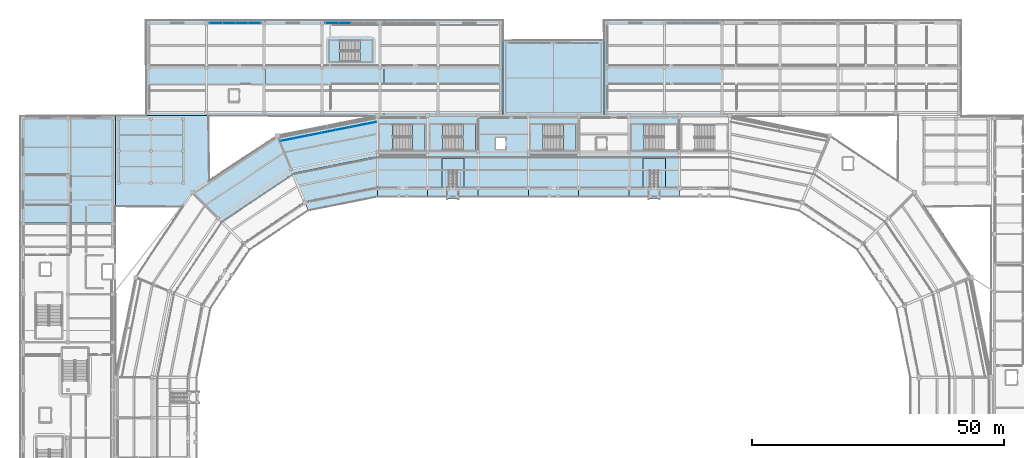
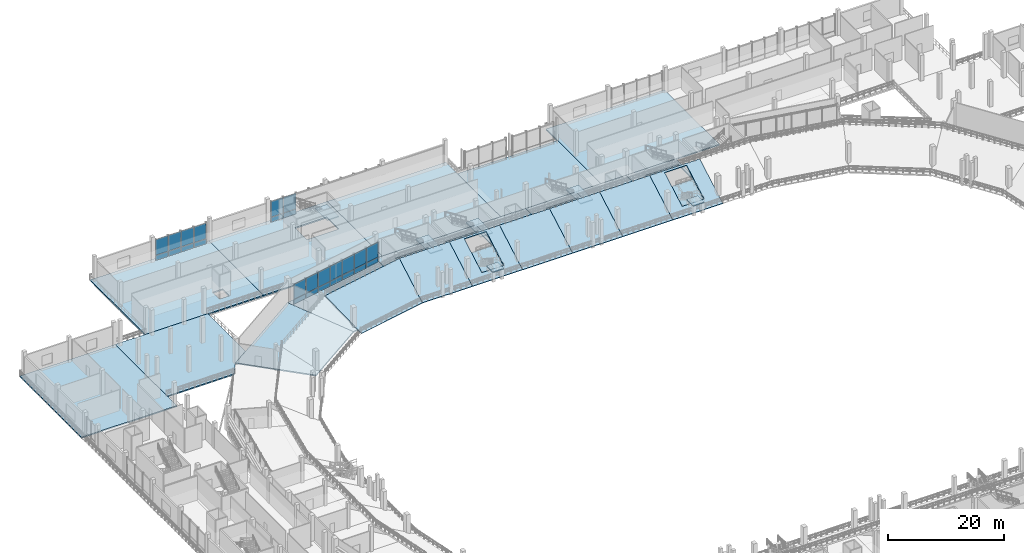
# One storey, part 69 of 127: 28 slabs, 26 plates, 9 elements without a shape of their own.
"""IFC4 building model written with IfcOpenShell, lengths in metres."""

from ifc_helpers import new_model, si_unit, direction, frame, origin, origin_2d, place, context, subcontext, project, spatial, polyline, rectangle, outline, extrude, material, layer, layer_set, type_object, element, aggregate, save


model = new_model("IFC4")

# Units and contexts
model_context = context("Model", 3, precision=1e-05, world=origin(), true_north=direction((0.0, 1.0)))
body_context = subcontext(model_context, "Body", "Model", "MODEL_VIEW")
ifc_project = project(units=[si_unit("LENGTHUNIT", "METRE"), si_unit("AREAUNIT", "SQUARE_METRE"), si_unit("VOLUMEUNIT", "CUBIC_METRE"), si_unit("PLANEANGLEUNIT", "RADIAN"), si_unit("MASSUNIT", "GRAM", prefix="KILO")], contexts=[model_context])

# Site, building, storey
site_placement = place(None, origin())
site = spatial("IfcSite", under=ifc_project, at=site_placement, CompositionType="ELEMENT")
building_placement = place(site_placement, origin())
building = spatial("IfcBuilding", under=site, at=building_placement, Name="Candeia Ridge Stadium", CompositionType="ELEMENT")
storey_placement = place(building_placement, frame((0.0, 0.0, 10.800048828125)))
storey = spatial("IfcBuildingStorey", under=building, at=storey_placement, Name="L02", CompositionType="ELEMENT", Elevation=10.800048828125)

# Slabs
ifc_material_1 = material(Name="Precast concrete C45/55", Category="concrete")
ifc_layer_1 = layer(ifc_material_1, 0.22509765625, Name="Precast concrete C45/55", Category="concrete")
ifc_layer_set_1 = layer_set([ifc_layer_1], Name="Precast concrete C45/55")
slab_type_1 = type_object("IfcSlabType", Name="Club Seating Tier Precast 225", PredefinedType="USERDEFINED", material=ifc_layer_set_1)
slab_1_placement = place(storey_placement, frame((131.0, 130.800048828125, 0.39990234375), z_axis=(0.0, -0.494386728352, 0.869242062276), x_axis=(-1.0, 0.0, 0.0)))
element("IfcSlab", 1, at=slab_1_placement, inside=storey, type_object=slab_type_1, Name="Stand Club Tier Stands Bay 02", ObjectType="SEATING TIER", PredefinedType="USERDEFINED", context=body_context, shape_type="SweptSolid", body=[
    extrude(outline(polyline([(0.0, 0.0), (10.0, 0.0), (10.0, -9.203420252184602), (0.0, -9.203420252184602), (0.0, 0.0)]), holes=[polyline([(2.800048828125, -1.8406291399876151), (7.199951171875, -1.8406291399876151), (7.199951171875, -8.835281957197845), (2.800048828125, -8.835281957197845), (2.800048828125, -1.8406291399876151)])]), origin(), (0.0, 0.0, -1.0), 0.22509765625),
])
for number, where, z_axis, x_axis, name in (
    (2, (121.0, 130.800048828125, 0.39990234375), (0.0, -0.494386728352, 0.869242062276), (-1.0, 0.0, 0.0), "Stand Club Tier Stands Bay 03"),
    (3, (111.0, 130.800048828125, 0.39990234375), (0.0, -0.494386728352, 0.869242062276), (-1.0, 0.0, 0.0), "Stand Club Tier Stands Bay 04"),
    (4, (101.0, 130.800048828125, 0.39990234375), (0.0, -0.494386728352, 0.869242062276), (-1.0, 0.0, 0.0), "Stand Club Tier Stands Bay 05"),
):
    element("IfcSlab", number, at=place(storey_placement, frame(where, z_axis=z_axis, x_axis=x_axis)), inside=storey, type_object=slab_type_1, Name=name, ObjectType="SEATING TIER", PredefinedType="USERDEFINED", context=body_context, shape_type="SweptSolid", body=[
        extrude(outline(polyline([(0.0, 0.0), (10.0, 0.0), (10.0, -9.203420252184602), (0.0, -9.203420252184602), (0.0, 0.0)])), origin(), (0.0, 0.0, -1.0), 0.22509765625),
    ])
slab_2_placement = place(storey_placement, frame((91.0, 130.800048828125, 0.39990234375), z_axis=(0.0, -0.494386728352, 0.869242062276), x_axis=(-1.0, 0.0, 0.0)))
element("IfcSlab", 5, at=slab_2_placement, inside=storey, type_object=slab_type_1, Name="Stand Club Tier Stands Bay 06", ObjectType="SEATING TIER", PredefinedType="USERDEFINED", context=body_context, shape_type="SweptSolid", body=[
    extrude(outline(polyline([(0.0, 0.0), (10.0, 0.0), (10.0, -9.203420252184602), (0.0, -9.203420252184602), (0.0, 0.0)]), holes=[polyline([(2.800048828125, -1.8406291399876151), (7.199951171875, -1.8406291399876151), (7.199951171875, -8.835281957197845), (2.800048828125, -8.835281957197845), (2.800048828125, -1.8406291399876151)])]), origin(), (0.0, 0.0, -1.0), 0.22509765625),
])
slab_3_placement = place(storey_placement, frame((81.0, 130.800048828125, 0.39990234375), z_axis=(0.0, -0.494386728352, 0.869242062276), x_axis=(-1.0, 0.0, 0.0)))
element("IfcSlab", 6, at=slab_3_placement, inside=storey, type_object=slab_type_1, Name="Stand Club Tier Stands Bay 07", ObjectType="SEATING TIER", PredefinedType="USERDEFINED", context=body_context, shape_type="SweptSolid", body=[
    extrude(outline(polyline([(0.0, 0.0), (10.0, 0.0), (10.0, -9.203420252184602), (0.0, -9.203420252184602), (0.0, 0.0)])), origin(), (0.0, 0.0, -1.0), 0.22509765625),
])
slab_4_placement = place(storey_placement, frame((71.0, 130.800048828125, 0.39990234375), z_axis=(0.097864069881, -0.492009659407, 0.86507174204), x_axis=(-0.980785461692, -0.195089410595, -2.563371e-06)))
element("IfcSlab", 7, at=slab_4_placement, inside=storey, type_object=slab_type_1, Name="Stand Club Tier Stands Bay 08", ObjectType="SEATING TIER", PredefinedType="USERDEFINED", context=body_context, shape_type="SweptSolid", body=[
    extrude(outline(polyline([(0.0, 0.0), (13.96835063084204, 0.0), (15.529587610985773, -9.070278646793197), (-1.5607269482180093, -9.070119940205563), (0.0, 0.0)])), origin(), (0.0, 0.0, -1.0), 0.22509765625),
])
ifc_material_2 = material(Name="Concrete C40/50", Category="concrete")
ifc_layer_2 = layer(ifc_material_2, 0.260009765625, Name="Concrete C40/50", Category="concrete")
ifc_layer_set_2 = layer_set([ifc_layer_2], Name="Concrete C40/50")
slab_type_2 = type_object("IfcSlabType", Name="Concourse Structural Slab 260", PredefinedType="FLOOR", material=ifc_layer_set_2)
slab_5_placement = place(storey_placement, frame((0.0, 0.0, -0.260009765625)))
element("IfcSlab", 8, at=slab_5_placement, inside=storey, type_object=slab_type_2, Name="Wing floor slab nw_n SLB-L02-0265", PredefinedType="FLOOR", context=body_context, shape_type="SweptSolid", body=[
    extrude(outline(polyline([(25.0, 147.0), (25.0, 166.0), (48.666748046875, 166.0), (48.666748046875, 147.0), (25.0, 147.0)]), holes=[polyline([(41.550048828125, 149.85009765625), (43.449951171875, 149.85009765625), (43.449951171875, 152.14990234375), (41.550048828125, 152.14990234375), (41.550048828125, 149.85009765625)])]), origin(), (0.0, 0.0, 1.0), 0.260009765625),
])
slab_6_placement = place(storey_placement, frame((0.0, 0.0, -0.260009765625)))
element("IfcSlab", 9, at=slab_6_placement, inside=storey, type_object=slab_type_2, Name="Wing floor slab nw_n SLB-L02-0266", PredefinedType="FLOOR", context=body_context, shape_type="SweptSolid", body=[
    extrude(outline(polyline([(48.666748046875, 147.0), (48.666748046875, 166.0), (72.333251953125, 166.0), (72.333251953125, 147.0), (48.666748046875, 147.0)]), holes=[polyline([(63.50048828125, 161.949951171875), (63.50048828125, 157.800048828125), (69.89990234375, 157.800048828125), (69.89990234375, 161.949951171875), (63.50048828125, 161.949951171875)])]), origin(), (0.0, 0.0, 1.0), 0.260009765625),
])
slab_7_placement = place(storey_placement, frame((0.0, 0.0, -0.260009765625)))
element("IfcSlab", 10, at=slab_7_placement, inside=storey, type_object=slab_type_2, Name="Wing floor slab nw_n SLB-L02-0267", PredefinedType="FLOOR", context=body_context, shape_type="SweptSolid", body=[
    extrude(outline(polyline([(72.333251953125, 147.0), (72.333251953125, 166.0), (96.0, 166.0), (96.0, 147.0), (72.333251953125, 147.0)])), origin(), (0.0, 0.0, 1.0), 0.260009765625),
])
slab_8_placement = place(storey_placement, frame((0.0, 0.0, -0.260009765625)))
element("IfcSlab", 11, at=slab_8_placement, inside=storey, type_object=slab_type_2, Name="Wing floor slab ne_n SLB-L02-0268", PredefinedType="FLOOR", context=body_context, shape_type="SweptSolid", body=[
    extrude(outline(polyline([(116.0, 147.0), (116.0, 166.0), (139.666748046875, 166.0), (139.666748046875, 147.0), (116.0, 147.0)])), origin(), (0.0, 0.0, 1.0), 0.260009765625),
])

# Stair, slab
stair_type_1 = type_object("IfcStairType", Name="Enclosed Core Half-Turn Stair 2450", PredefinedType="HALF_TURN_STAIR", material=ifc_material_2)
stair_1_placement = place(storey_placement, origin())
stair_1 = element("IfcStair", 12, at=stair_1_placement, inside=storey, type_object=stair_type_1, Name="L02 Enclosed exit stair ST01", PredefinedType="HALF_TURN_STAIR")
ifc_layer_3 = layer(ifc_material_2, 0.199951171875, Name="Concrete C40/50", Category="concrete")
ifc_layer_set_3 = layer_set([ifc_layer_3], Name="Concrete C40/50")
slab_type_3 = type_object("IfcSlabType", Name="Core Stair Landing Slab 200", PredefinedType="LANDING", material=ifc_layer_set_3)
slab_9_placement = place(storey_placement, frame((0.0, 0.0, 2.5)))
slab_9 = element("IfcSlab", 13, at=slab_9_placement, type_object=slab_type_3, Name="ST01 landing 1", PredefinedType="LANDING", context=body_context, shape_type="SweptSolid", body=[
    extrude(outline(polyline([(78.010009765625, 140.199951171875), (80.5, 140.199951171875), (80.5, 145.25), (78.010009765625, 145.25), (78.010009765625, 140.199951171875)])), origin(), (0.0, 0.0, 1.0), 0.199951171875),
])
aggregate(stair_1, [slab_9])

stair_2_placement = place(storey_placement, origin())
stair_2 = element("IfcStair", 14, at=stair_2_placement, inside=storey, type_object=stair_type_1, Name="L02 Enclosed exit stair ST09", PredefinedType="HALF_TURN_STAIR")
slab_10_placement = place(storey_placement, frame((0.0, 0.0, 2.5)))
slab_10 = element("IfcSlab", 15, at=slab_10_placement, type_object=slab_type_3, Name="ST09 landing 1", PredefinedType="LANDING", context=body_context, shape_type="SweptSolid", body=[
    extrude(outline(polyline([(88.010009765625, 140.199951171875), (90.5, 140.199951171875), (90.5, 145.25), (88.010009765625, 145.25), (88.010009765625, 140.199951171875)])), origin(), (0.0, 0.0, 1.0), 0.199951171875),
])
aggregate(stair_2, [slab_10])

stair_type_2 = type_object("IfcStairType", Name="Enclosed Wing Half-Turn Stair 2000", PredefinedType="HALF_TURN_STAIR", material=ifc_material_2)
stair_3_placement = place(storey_placement, origin())
stair_3 = element("IfcStair", 16, at=stair_3_placement, inside=storey, type_object=stair_type_2, Name="L02 Enclosed exit stair ST15", PredefinedType="HALF_TURN_STAIR")
slab_11_placement = place(storey_placement, frame((0.0, 0.0, 2.5)))
slab_11 = element("IfcSlab", 17, at=slab_11_placement, type_object=slab_type_3, Name="ST15 landing 1", PredefinedType="LANDING", context=body_context, shape_type="SweptSolid", body=[
    extrude(outline(polyline([(67.56005859375, 157.800048828125), (69.89990234375, 157.800048828125), (69.89990234375, 161.949951171875), (67.56005859375, 161.949951171875), (67.56005859375, 157.800048828125)])), origin(), (0.0, 0.0, 1.0), 0.199951171875),
])
aggregate(stair_3, [slab_11])

stair_4_placement = place(storey_placement, origin())
stair_4 = element("IfcStair", 18, at=stair_4_placement, inside=storey, type_object=stair_type_1, Name="L02 Enclosed exit stair ST17", PredefinedType="HALF_TURN_STAIR")
slab_12_placement = place(storey_placement, frame((0.0, 0.0, 2.5)))
slab_12 = element("IfcSlab", 19, at=slab_12_placement, type_object=slab_type_3, Name="ST17 landing 1", PredefinedType="LANDING", context=body_context, shape_type="SweptSolid", body=[
    extrude(outline(polyline([(108.010009765625, 140.199951171875), (110.5, 140.199951171875), (110.5, 145.25), (108.010009765625, 145.25), (108.010009765625, 140.199951171875)])), origin(), (0.0, 0.0, 1.0), 0.199951171875),
])
aggregate(stair_4, [slab_12])

stair_type_3 = type_object("IfcStairType", Name="Spectator Vomitory Straight Stair 2200", PredefinedType="STRAIGHT_RUN_STAIR", material=ifc_material_1)
stair_5_placement = place(storey_placement, origin())
stair_5 = element("IfcStair", 20, at=stair_5_placement, inside=storey, type_object=stair_type_3, Name="Vomitory stair VS19", PredefinedType="STRAIGHT_RUN_STAIR")
slab_13_placement = place(storey_placement, frame((0.0, 0.0, 2.0400390625)))
slab_13 = element("IfcSlab", 21, at=slab_13_placement, type_object=slab_type_3, Name="VS19 landing 1", PredefinedType="LANDING", context=body_context, shape_type="SweptSolid", body=[
    extrude(outline(polyline([(127.1201171875, 132.720458984375), (127.1201171875, 130.469970703125), (124.8798828125, 130.469970703125), (124.8798828125, 132.720458984375), (127.1201171875, 132.720458984375)])), origin(), (0.0, 0.0, 1.0), 0.199951171875),
])
aggregate(stair_5, [slab_13])

stair_6_placement = place(storey_placement, origin())
stair_6 = element("IfcStair", 22, at=stair_6_placement, inside=storey, type_object=stair_type_3, Name="Vomitory stair VS20", PredefinedType="STRAIGHT_RUN_STAIR")
slab_14_placement = place(storey_placement, frame((0.0, 0.0, 2.0400390625)))
slab_14 = element("IfcSlab", 23, at=slab_14_placement, type_object=slab_type_3, Name="VS20 landing 1", PredefinedType="LANDING", context=body_context, shape_type="SweptSolid", body=[
    extrude(outline(polyline([(87.1201171875, 132.720458984375), (87.1201171875, 130.469970703125), (84.8798828125, 130.469970703125), (84.8798828125, 132.720458984375), (87.1201171875, 132.720458984375)])), origin(), (0.0, 0.0, 1.0), 0.199951171875),
])
aggregate(stair_6, [slab_14])

# Slabs
ifc_layer_4 = layer(ifc_material_2, 0.25, Name="Concrete C40/50", Category="concrete")
ifc_layer_set_4 = layer_set([ifc_layer_4], Name="Concrete C40/50")
slab_type_4 = type_object("IfcSlabType", Name="Hospitality & Museum Slab 250", PredefinedType="FLOOR", material=ifc_layer_set_4)
slab_15_placement = place(storey_placement, frame((0.0, 0.0, -0.25)))
element("IfcSlab", 24, at=slab_15_placement, inside=storey, type_object=slab_type_4, Name="Bowl concourse sector slab L02 bay 02 SLB-L02-0074", PredefinedType="FLOOR", context=body_context, shape_type="SweptSolid", body=[
    extrude(outline(polyline([(121.0, 132.60009765625), (121.0, 147.0), (131.0, 147.0), (131.0, 132.60009765625), (121.0, 132.60009765625)]), holes=[polyline([(123.95068359375, 145.25), (123.95068359375, 140.199951171875), (130.5, 140.199951171875), (130.5, 145.25), (123.95068359375, 145.25)])]), origin(), (0.0, 0.0, 1.0), 0.25),
])
slab_16_placement = place(storey_placement, frame((0.0, 0.0, -0.25)))
element("IfcSlab", 25, at=slab_16_placement, inside=storey, type_object=slab_type_4, Name="Bowl concourse sector slab L02 bay 03 SLB-L02-0075", PredefinedType="FLOOR", context=body_context, shape_type="SweptSolid", body=[
    extrude(outline(polyline([(111.0, 132.60009765625), (111.0, 147.0), (121.0, 147.0), (121.0, 132.60009765625), (111.0, 132.60009765625)]), holes=[polyline([(116.449951171875, 140.35009765625), (116.449951171875, 142.64990234375), (114.550048828125, 142.64990234375), (114.550048828125, 140.35009765625), (116.449951171875, 140.35009765625)])]), origin(), (0.0, 0.0, 1.0), 0.25),
])
slab_17_placement = place(storey_placement, frame((0.0, 0.0, -0.25)))
element("IfcSlab", 26, at=slab_17_placement, inside=storey, type_object=slab_type_4, Name="Bowl concourse sector slab L02 bay 04 SLB-L02-0076", PredefinedType="FLOOR", context=body_context, shape_type="SweptSolid", body=[
    extrude(outline(polyline([(101.0, 132.60009765625), (101.0, 147.0), (111.0, 147.0), (111.0, 132.60009765625), (101.0, 132.60009765625)]), holes=[polyline([(103.95068359375, 145.25), (103.95068359375, 140.199951171875), (110.5, 140.199951171875), (110.5, 145.25), (103.95068359375, 145.25)])]), origin(), (0.0, 0.0, 1.0), 0.25),
])
slab_18_placement = place(storey_placement, frame((0.0, 0.0, -0.25)))
element("IfcSlab", 27, at=slab_18_placement, inside=storey, type_object=slab_type_4, Name="Bowl concourse sector slab L02 bay 05 SLB-L02-0077", PredefinedType="FLOOR", context=body_context, shape_type="SweptSolid", body=[
    extrude(outline(polyline([(91.0, 132.60009765625), (91.0, 147.0), (101.0, 147.0), (101.0, 132.60009765625), (91.0, 132.60009765625)]), holes=[polyline([(96.449951171875, 140.35009765625), (96.449951171875, 142.64990234375), (94.550048828125, 142.64990234375), (94.550048828125, 140.35009765625), (96.449951171875, 140.35009765625)])]), origin(), (0.0, 0.0, 1.0), 0.25),
])
slab_19_placement = place(storey_placement, frame((0.0, 0.0, -0.25)))
element("IfcSlab", 28, at=slab_19_placement, inside=storey, type_object=slab_type_4, Name="Bowl concourse sector slab L02 bay 06 SLB-L02-0078", PredefinedType="FLOOR", context=body_context, shape_type="SweptSolid", body=[
    extrude(outline(polyline([(81.0, 132.60009765625), (81.0, 147.0), (91.0, 147.0), (91.0, 132.60009765625), (81.0, 132.60009765625)]), holes=[polyline([(83.95068359375, 140.199951171875), (90.5, 140.199951171875), (90.5, 145.25), (83.95068359375, 145.25), (83.95068359375, 140.199951171875)])]), origin(), (0.0, 0.0, 1.0), 0.25),
])
slab_20_placement = place(storey_placement, frame((0.0, 0.0, -0.25)))
element("IfcSlab", 29, at=slab_20_placement, inside=storey, type_object=slab_type_4, Name="Bowl concourse sector slab L02 bay 07 SLB-L02-0079", PredefinedType="FLOOR", context=body_context, shape_type="SweptSolid", body=[
    extrude(outline(polyline([(71.0, 132.60009765625), (71.0, 147.0), (81.0, 147.0), (81.0, 132.60009765625), (71.0, 132.60009765625)]), holes=[polyline([(73.95068359375, 140.199951171875), (80.5, 140.199951171875), (80.5, 145.25), (73.95068359375, 145.25), (73.95068359375, 140.199951171875)])]), origin(), (0.0, 0.0, 1.0), 0.25),
])
slab_21_placement = place(storey_placement, frame((0.0, 0.0, -0.25)))
element("IfcSlab", 30, at=slab_21_placement, inside=storey, type_object=slab_type_4, Name="Bowl concourse sector slab L02 bay 08 SLB-L02-0080", PredefinedType="FLOOR", context=body_context, shape_type="SweptSolid", body=[
    extrude(outline(polyline([(56.611083984375, 129.73779296875), (51.1005859375, 143.041748046875), (71.0, 147.0), (71.0, 132.60009765625), (56.611083984375, 129.73779296875)])), origin(), (0.0, 0.0, 1.0), 0.25),
])
slab_22_placement = place(storey_placement, frame((0.0, 0.0, -0.25)))
element("IfcSlab", 31, at=slab_22_placement, inside=storey, type_object=slab_type_4, Name="Bowl concourse sector slab L02 bay 09 SLB-L02-0081", PredefinedType="FLOOR", context=body_context, shape_type="SweptSolid", body=[
    extrude(outline(polyline([(44.446044921875, 121.609375), (34.263671875, 131.791748046875), (51.1005859375, 143.041748046875), (56.611083984375, 129.73779296875), (44.446044921875, 121.609375)])), origin(), (0.0, 0.0, 1.0), 0.25),
])
slab_23_placement = place(storey_placement, frame((0.0, 0.0, -0.25)))
element("IfcSlab", 32, at=slab_23_placement, inside=storey, type_object=slab_type_4, Name="Wing floor slab west SLB-L02-0250", PredefinedType="FLOOR", context=body_context, shape_type="SweptSolid", body=[
    extrude(outline(polyline([(0.0, 125.666748046875), (0.0, 147.0), (19.0, 147.0), (19.0, 125.666748046875), (0.0, 125.666748046875)])), origin(), (0.0, 0.0, 1.0), 0.25),
])
slab_24_placement = place(storey_placement, frame((0.0, 0.0, -0.25)))
element("IfcSlab", 33, at=slab_24_placement, inside=storey, type_object=slab_type_4, Name="Wing floor slab ngate SLB-L02-0271", PredefinedType="FLOOR", context=body_context, shape_type="SweptSolid", body=[
    extrude(outline(polyline([(96.0, 147.0), (96.0, 162.0), (116.0, 162.0), (116.0, 147.0), (96.0, 147.0)])), origin(), (0.0, 0.0, 1.0), 0.25),
])
slab_25_placement = place(storey_placement, frame((0.0, 0.0, -0.25)))
element("IfcSlab", 34, at=slab_25_placement, inside=storey, type_object=slab_type_4, Name="Wing floor slab sp_nw SLB-L02-0272", PredefinedType="FLOOR", context=body_context, shape_type="SweptSolid", body=[
    extrude(outline(polyline([(19.0, 147.0), (37.5, 147.0), (37.5, 133.960205078125), (34.227783203125, 131.773681640625), (34.227294921875, 131.7734375), (34.226806640625, 131.773193359375), (34.2265625, 131.772705078125), (34.226318359375, 131.772216796875), (32.373779296875, 129.0), (19.0, 129.0), (19.0, 147.0)])), origin(), (0.0, 0.0, 1.0), 0.25),
])

# Curtain wall, plates
ifc_material_3 = material(Name="Aluminium Anodized Warm Bronze", Category="aluminium")
curtain_wall_type_1 = type_object("IfcCurtainWallType", Name="Concourse Recessed Unitised Curtain Wall", PredefinedType="NOTDEFINED", material=ifc_material_3)
curtain_wall_1_placement = place(storey_placement, origin())
curtain_wall_1 = element("IfcCurtainWall", 35, at=curtain_wall_1_placement, inside=storey, type_object=curtain_wall_type_1, Name="Unitised curtain wall CW-BWL-L02-07", PredefinedType="NOTDEFINED")
ifc_material_4 = material(Name="Aluminium Insulated Spandrel", Category="aluminium")
ifc_layer_5 = layer(ifc_material_4, 0.06494140625, Name="Aluminium Insulated Spandrel", Category="aluminium")
ifc_layer_set_5 = layer_set([ifc_layer_5], Name="Aluminium Insulated Spandrel")
plate_type_1 = type_object("IfcPlateType", Name="Insulated Bronze Spandrel Panel SP2", PredefinedType="CURTAIN_PANEL", material=ifc_layer_set_5)
plate_1_placement = place(storey_placement, frame((69.460205078125, 145.49365234375, 0.0400390625), z_axis=(0.0, 0.0, 1.0), x_axis=(-0.980785280696, -0.195090320544, 0.0)))
plate_1 = element("IfcPlate", 36, at=plate_1_placement, type_object=plate_type_1, Name="Curtain wall spandrel panel CW-BWL-L02-07-SP0", PredefinedType="CURTAIN_PANEL", context=body_context, shape_type="SweptSolid", body=[
    extrude(rectangle(XDim=2.710205078125, YDim=0.06494140625, at=origin_2d()), origin(), (0.0, 0.0, 1.0), 0.983642578125),
])
plate_2_placement = place(storey_placement, frame((66.7333984375, 144.951416015625, 0.0400390625), z_axis=(0.0, 0.0, 1.0), x_axis=(-0.980785280696, -0.195090320544, 0.0)))
plate_2 = element("IfcPlate", 37, at=plate_2_placement, type_object=plate_type_1, Name="Curtain wall spandrel panel CW-BWL-L02-07-SP1", PredefinedType="CURTAIN_PANEL", context=body_context, shape_type="SweptSolid", body=[
    extrude(rectangle(XDim=2.710205078125, YDim=0.06494140625, at=origin_2d()), origin(), (0.0, 0.0, 1.0), 0.983642578125),
])
plate_3_placement = place(storey_placement, frame((64.006591796875, 144.408935546875, 0.0400390625), z_axis=(0.0, 0.0, 1.0), x_axis=(-0.980785280696, -0.195090320544, 0.0)))
plate_3 = element("IfcPlate", 38, at=plate_3_placement, type_object=plate_type_1, Name="Curtain wall spandrel panel CW-BWL-L02-07-SP2", PredefinedType="CURTAIN_PANEL", context=body_context, shape_type="SweptSolid", body=[
    extrude(rectangle(XDim=2.710205078125, YDim=0.06494140625, at=origin_2d()), origin(), (0.0, 0.0, 1.0), 0.983642578125),
])
plate_4_placement = place(storey_placement, frame((61.27978515625, 143.86669921875, 0.0400390625), z_axis=(0.0, 0.0, 1.0), x_axis=(-0.980785280696, -0.195090320544, 0.0)))
plate_4 = element("IfcPlate", 39, at=plate_4_placement, type_object=plate_type_1, Name="Curtain wall spandrel panel CW-BWL-L02-07-SP3", PredefinedType="CURTAIN_PANEL", context=body_context, shape_type="SweptSolid", body=[
    extrude(rectangle(XDim=2.710205078125, YDim=0.06494140625, at=origin_2d()), origin(), (0.0, 0.0, 1.0), 0.983642578125),
])
plate_5_placement = place(storey_placement, frame((58.552978515625, 143.32421875, 0.0400390625), z_axis=(0.0, 0.0, 1.0), x_axis=(-0.980785280696, -0.195090320544, 0.0)))
plate_5 = element("IfcPlate", 40, at=plate_5_placement, type_object=plate_type_1, Name="Curtain wall spandrel panel CW-BWL-L02-07-SP4", PredefinedType="CURTAIN_PANEL", context=body_context, shape_type="SweptSolid", body=[
    extrude(rectangle(XDim=2.710205078125, YDim=0.06494140625, at=origin_2d()), origin(), (0.0, 0.0, 1.0), 0.983642578125),
])
plate_6_placement = place(storey_placement, frame((55.826416015625, 142.78173828125, 0.0400390625), z_axis=(0.0, 0.0, 1.0), x_axis=(-0.980785280696, -0.195090320544, 0.0)))
plate_6 = element("IfcPlate", 41, at=plate_6_placement, type_object=plate_type_1, Name="Curtain wall spandrel panel CW-BWL-L02-07-SP5", PredefinedType="CURTAIN_PANEL", context=body_context, shape_type="SweptSolid", body=[
    extrude(rectangle(XDim=2.710205078125, YDim=0.06494140625, at=origin_2d()), origin(), (0.0, 0.0, 1.0), 0.983642578125),
])
plate_7_placement = place(storey_placement, frame((53.099609375, 142.239501953125, 0.0400390625), z_axis=(0.0, 0.0, 1.0), x_axis=(-0.980785280696, -0.195090320544, 0.0)))
plate_7 = element("IfcPlate", 42, at=plate_7_placement, type_object=plate_type_1, Name="Curtain wall spandrel panel CW-BWL-L02-07-SP6", PredefinedType="CURTAIN_PANEL", context=body_context, shape_type="SweptSolid", body=[
    extrude(rectangle(XDim=2.710205078125, YDim=0.06494140625, at=origin_2d()), origin(), (0.0, 0.0, 1.0), 0.983642578125),
])

curtain_wall_type_2 = type_object("IfcCurtainWallType", Name="Museum & Boulevard Showcase Curtain Wall", PredefinedType="NOTDEFINED", material=ifc_material_3)
curtain_wall_2_placement = place(storey_placement, origin())
curtain_wall_2 = element("IfcCurtainWall", 43, at=curtain_wall_2_placement, inside=storey, type_object=curtain_wall_type_2, Name="Unitised curtain wall CW-WNG-L02-149", PredefinedType="NOTDEFINED")
ifc_layer_6 = layer(ifc_material_4, 0.06494140625, Name="Aluminium Insulated Spandrel", Category="aluminium")
ifc_layer_set_6 = layer_set([ifc_layer_6], Name="Aluminium Insulated Spandrel")
plate_type_2 = type_object("IfcPlateType", Name="Insulated Cedar-Tone Spandrel Panel SP3", PredefinedType="CURTAIN_PANEL", material=ifc_layer_set_6)
plate_8_placement = place(storey_placement, frame((38.9326171875, 165.39990234375, 0.0400390625), z_axis=(0.0, 0.0, 1.0), x_axis=(1.0, 0.0, 0.0)))
plate_8 = element("IfcPlate", 44, at=plate_8_placement, type_object=plate_type_2, Name="Curtain wall spandrel panel CW-WNG-L02-149-SP0", PredefinedType="CURTAIN_PANEL", context=body_context, shape_type="SweptSolid", body=[
    extrude(rectangle(XDim=2.47509765625, YDim=0.06494140625, at=origin_2d()), origin(), (0.0, 0.0, 1.0), 1.02001953125),
])
plate_9_placement = place(storey_placement, frame((41.4775390625, 165.39990234375, 0.0400390625), z_axis=(0.0, 0.0, 1.0), x_axis=(1.0, 0.0, 0.0)))
plate_9 = element("IfcPlate", 45, at=plate_9_placement, type_object=plate_type_2, Name="Curtain wall spandrel panel CW-WNG-L02-149-SP1", PredefinedType="CURTAIN_PANEL", context=body_context, shape_type="SweptSolid", body=[
    extrude(rectangle(XDim=2.47509765625, YDim=0.06494140625, at=origin_2d()), origin(), (0.0, 0.0, 1.0), 1.02001953125),
])
plate_10_placement = place(storey_placement, frame((44.0224609375, 165.39990234375, 0.0400390625), z_axis=(0.0, 0.0, 1.0), x_axis=(1.0, 0.0, 0.0)))
plate_10 = element("IfcPlate", 46, at=plate_10_placement, type_object=plate_type_2, Name="Curtain wall spandrel panel CW-WNG-L02-149-SP2", PredefinedType="CURTAIN_PANEL", context=body_context, shape_type="SweptSolid", body=[
    extrude(rectangle(XDim=2.47509765625, YDim=0.06494140625, at=origin_2d()), origin(), (0.0, 0.0, 1.0), 1.02001953125),
])
plate_11_placement = place(storey_placement, frame((46.5673828125, 165.39990234375, 0.0400390625), z_axis=(0.0, 0.0, 1.0), x_axis=(1.0, 0.0, 0.0)))
plate_11 = element("IfcPlate", 47, at=plate_11_placement, type_object=plate_type_2, Name="Curtain wall spandrel panel CW-WNG-L02-149-SP3", PredefinedType="CURTAIN_PANEL", context=body_context, shape_type="SweptSolid", body=[
    extrude(rectangle(XDim=2.47509765625, YDim=0.06494140625, at=origin_2d()), origin(), (0.0, 0.0, 1.0), 1.02001953125),
])

curtain_wall_3_placement = place(storey_placement, origin())
curtain_wall_3 = element("IfcCurtainWall", 48, at=curtain_wall_3_placement, inside=storey, type_object=curtain_wall_type_2, Name="Unitised curtain wall CW-WNG-L02-150", PredefinedType="NOTDEFINED")
plate_12_placement = place(storey_placement, frame((61.9326171875, 165.39990234375, 0.0400390625), z_axis=(0.0, 0.0, 1.0), x_axis=(1.0, 0.0, 0.0)))
plate_12 = element("IfcPlate", 49, at=plate_12_placement, type_object=plate_type_2, Name="Curtain wall spandrel panel CW-WNG-L02-150-SP0", PredefinedType="CURTAIN_PANEL", context=body_context, shape_type="SweptSolid", body=[
    extrude(rectangle(XDim=2.47509765625, YDim=0.06494140625, at=origin_2d()), origin(), (0.0, 0.0, 1.0), 1.02001953125),
])
plate_13_placement = place(storey_placement, frame((64.4775390625, 165.39990234375, 0.0400390625), z_axis=(0.0, 0.0, 1.0), x_axis=(1.0, 0.0, 0.0)))
plate_13 = element("IfcPlate", 50, at=plate_13_placement, type_object=plate_type_2, Name="Curtain wall spandrel panel CW-WNG-L02-150-SP1", PredefinedType="CURTAIN_PANEL", context=body_context, shape_type="SweptSolid", body=[
    extrude(rectangle(XDim=2.47509765625, YDim=0.06494140625, at=origin_2d()), origin(), (0.0, 0.0, 1.0), 1.02001953125),
])

# Plate
ifc_material_5 = material(Name="Tempered Low-E Double Glazing", Category="glass")
ifc_layer_7 = layer(ifc_material_5, 0.035888671875, Name="Tempered Low-E Double Glazing", Category="glass")
ifc_layer_set_7 = layer_set([ifc_layer_7], Name="Tempered Low-E Double Glazing")
plate_type_3 = type_object("IfcPlateType", Name="Pavilion Panorama Glass Panel GP4", PredefinedType="CURTAIN_PANEL", material=ifc_layer_set_7)
plate_14_placement = place(storey_placement, frame((38.9326171875, 165.39990234375, 1.139892578125), z_axis=(0.0, 0.0, 1.0), x_axis=(1.0, 0.0, 0.0)))
plate_14 = element("IfcPlate", 51, at=plate_14_placement, type_object=plate_type_3, Name="Curtain wall vision glass panel CW-WNG-L02-149-GP0", PredefinedType="CURTAIN_PANEL", context=body_context, shape_type="SweptSolid", body=[
    extrude(rectangle(XDim=2.47509765625, YDim=0.035888671875, at=origin_2d()), origin(), (0.0, 0.0, 1.0), 3.27490234375),
])

plate_15_placement = place(storey_placement, frame((41.4775390625, 165.39990234375, 1.139892578125), z_axis=(0.0, 0.0, 1.0), x_axis=(1.0, 0.0, 0.0)))
plate_15 = element("IfcPlate", 52, at=plate_15_placement, type_object=plate_type_3, Name="Curtain wall vision glass panel CW-WNG-L02-149-GP1", PredefinedType="CURTAIN_PANEL", context=body_context, shape_type="SweptSolid", body=[
    extrude(rectangle(XDim=2.47509765625, YDim=0.035888671875, at=origin_2d()), origin(), (0.0, 0.0, 1.0), 3.27490234375),
])

plate_16_placement = place(storey_placement, frame((44.0224609375, 165.39990234375, 1.139892578125), z_axis=(0.0, 0.0, 1.0), x_axis=(1.0, 0.0, 0.0)))
plate_16 = element("IfcPlate", 53, at=plate_16_placement, type_object=plate_type_3, Name="Curtain wall vision glass panel CW-WNG-L02-149-GP2", PredefinedType="CURTAIN_PANEL", context=body_context, shape_type="SweptSolid", body=[
    extrude(rectangle(XDim=2.47509765625, YDim=0.035888671875, at=origin_2d()), origin(), (0.0, 0.0, 1.0), 3.27490234375),
])

plate_17_placement = place(storey_placement, frame((46.5673828125, 165.39990234375, 1.139892578125), z_axis=(0.0, 0.0, 1.0), x_axis=(1.0, 0.0, 0.0)))
plate_17 = element("IfcPlate", 54, at=plate_17_placement, type_object=plate_type_3, Name="Curtain wall vision glass panel CW-WNG-L02-149-GP3", PredefinedType="CURTAIN_PANEL", context=body_context, shape_type="SweptSolid", body=[
    extrude(rectangle(XDim=2.47509765625, YDim=0.035888671875, at=origin_2d()), origin(), (0.0, 0.0, 1.0), 3.27490234375),
])

aggregate(curtain_wall_2, [plate_8, plate_14, plate_9, plate_15, plate_10, plate_16, plate_11, plate_17])

plate_18_placement = place(storey_placement, frame((61.9326171875, 165.39990234375, 1.139892578125), z_axis=(0.0, 0.0, 1.0), x_axis=(1.0, 0.0, 0.0)))
plate_18 = element("IfcPlate", 55, at=plate_18_placement, type_object=plate_type_3, Name="Curtain wall vision glass panel CW-WNG-L02-150-GP0", PredefinedType="CURTAIN_PANEL", context=body_context, shape_type="SweptSolid", body=[
    extrude(rectangle(XDim=2.47509765625, YDim=0.035888671875, at=origin_2d()), origin(), (0.0, 0.0, 1.0), 3.27490234375),
])

plate_19_placement = place(storey_placement, frame((64.4775390625, 165.39990234375, 1.139892578125), z_axis=(0.0, 0.0, 1.0), x_axis=(1.0, 0.0, 0.0)))
plate_19 = element("IfcPlate", 56, at=plate_19_placement, type_object=plate_type_3, Name="Curtain wall vision glass panel CW-WNG-L02-150-GP1", PredefinedType="CURTAIN_PANEL", context=body_context, shape_type="SweptSolid", body=[
    extrude(rectangle(XDim=2.47509765625, YDim=0.035888671875, at=origin_2d()), origin(), (0.0, 0.0, 1.0), 3.27490234375),
])

aggregate(curtain_wall_3, [plate_12, plate_18, plate_13, plate_19])

ifc_layer_8 = layer(ifc_material_5, 0.035888671875, Name="Tempered Low-E Double Glazing", Category="glass")
ifc_layer_set_8 = layer_set([ifc_layer_8], Name="Tempered Low-E Double Glazing")
plate_type_4 = type_object("IfcPlateType", Name="Solar Control Vision Glass Panel GP6", PredefinedType="CURTAIN_PANEL", material=ifc_layer_set_8)
plate_20_placement = place(storey_placement, frame((69.460205078125, 145.49365234375, 1.103759765625), z_axis=(0.0, 0.0, 1.0), x_axis=(-0.980785280696, -0.195090320544, 0.0)))
plate_20 = element("IfcPlate", 57, at=plate_20_placement, type_object=plate_type_4, Name="Curtain wall vision glass panel CW-BWL-L02-07-GP0", PredefinedType="CURTAIN_PANEL", context=body_context, shape_type="SweptSolid", body=[
    extrude(rectangle(XDim=2.710205078125, YDim=0.035888671875, at=origin_2d()), origin(), (0.0, 0.0, 1.0), 3.111328125),
])

plate_21_placement = place(storey_placement, frame((66.7333984375, 144.951416015625, 1.103759765625), z_axis=(0.0, 0.0, 1.0), x_axis=(-0.980785280696, -0.195090320544, 0.0)))
plate_21 = element("IfcPlate", 58, at=plate_21_placement, type_object=plate_type_4, Name="Curtain wall vision glass panel CW-BWL-L02-07-GP1", PredefinedType="CURTAIN_PANEL", context=body_context, shape_type="SweptSolid", body=[
    extrude(rectangle(XDim=2.710205078125, YDim=0.035888671875, at=origin_2d()), origin(), (0.0, 0.0, 1.0), 3.111328125),
])

plate_22_placement = place(storey_placement, frame((64.006591796875, 144.408935546875, 1.103759765625), z_axis=(0.0, 0.0, 1.0), x_axis=(-0.980785280696, -0.195090320544, 0.0)))
plate_22 = element("IfcPlate", 59, at=plate_22_placement, type_object=plate_type_4, Name="Curtain wall vision glass panel CW-BWL-L02-07-GP2", PredefinedType="CURTAIN_PANEL", context=body_context, shape_type="SweptSolid", body=[
    extrude(rectangle(XDim=2.710205078125, YDim=0.035888671875, at=origin_2d()), origin(), (0.0, 0.0, 1.0), 3.111328125),
])

plate_23_placement = place(storey_placement, frame((61.27978515625, 143.86669921875, 1.103759765625), z_axis=(0.0, 0.0, 1.0), x_axis=(-0.980785280696, -0.195090320544, 0.0)))
plate_23 = element("IfcPlate", 60, at=plate_23_placement, type_object=plate_type_4, Name="Curtain wall vision glass panel CW-BWL-L02-07-GP3", PredefinedType="CURTAIN_PANEL", context=body_context, shape_type="SweptSolid", body=[
    extrude(rectangle(XDim=2.710205078125, YDim=0.035888671875, at=origin_2d()), origin(), (0.0, 0.0, 1.0), 3.111328125),
])

plate_24_placement = place(storey_placement, frame((58.552978515625, 143.32421875, 1.103759765625), z_axis=(0.0, 0.0, 1.0), x_axis=(-0.980785280696, -0.195090320544, 0.0)))
plate_24 = element("IfcPlate", 61, at=plate_24_placement, type_object=plate_type_4, Name="Curtain wall vision glass panel CW-BWL-L02-07-GP4", PredefinedType="CURTAIN_PANEL", context=body_context, shape_type="SweptSolid", body=[
    extrude(rectangle(XDim=2.710205078125, YDim=0.035888671875, at=origin_2d()), origin(), (0.0, 0.0, 1.0), 3.111328125),
])

plate_25_placement = place(storey_placement, frame((55.826416015625, 142.78173828125, 1.103759765625), z_axis=(0.0, 0.0, 1.0), x_axis=(-0.980785280696, -0.195090320544, 0.0)))
plate_25 = element("IfcPlate", 62, at=plate_25_placement, type_object=plate_type_4, Name="Curtain wall vision glass panel CW-BWL-L02-07-GP5", PredefinedType="CURTAIN_PANEL", context=body_context, shape_type="SweptSolid", body=[
    extrude(rectangle(XDim=2.710205078125, YDim=0.035888671875, at=origin_2d()), origin(), (0.0, 0.0, 1.0), 3.111328125),
])

plate_26_placement = place(storey_placement, frame((53.099609375, 142.239501953125, 1.103759765625), z_axis=(0.0, 0.0, 1.0), x_axis=(-0.980785280696, -0.195090320544, 0.0)))
plate_26 = element("IfcPlate", 63, at=plate_26_placement, type_object=plate_type_4, Name="Curtain wall vision glass panel CW-BWL-L02-07-GP6", PredefinedType="CURTAIN_PANEL", context=body_context, shape_type="SweptSolid", body=[
    extrude(rectangle(XDim=2.710205078125, YDim=0.035888671875, at=origin_2d()), origin(), (0.0, 0.0, 1.0), 3.111328125),
])

aggregate(curtain_wall_1, [plate_1, plate_20, plate_2, plate_21, plate_3, plate_22, plate_4, plate_23, plate_5, plate_24, plate_6, plate_25, plate_7, plate_26])

save(model, "model.ifc")
